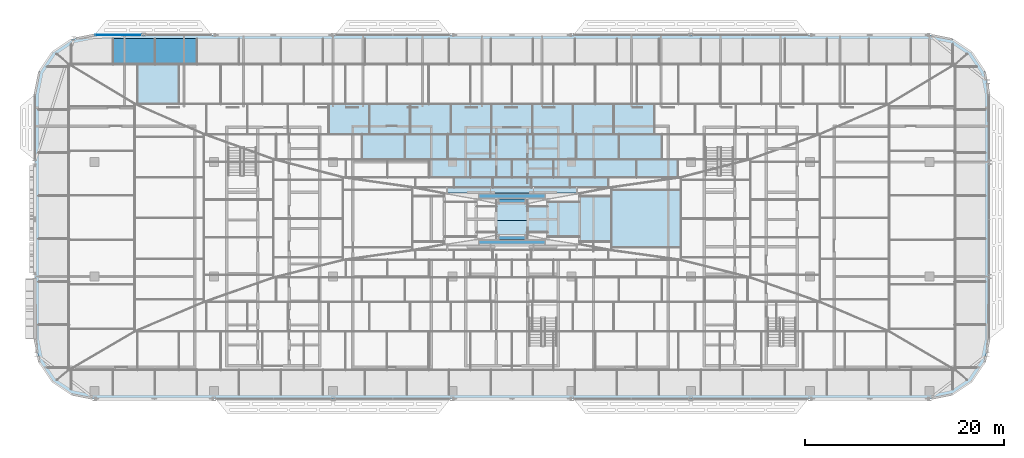
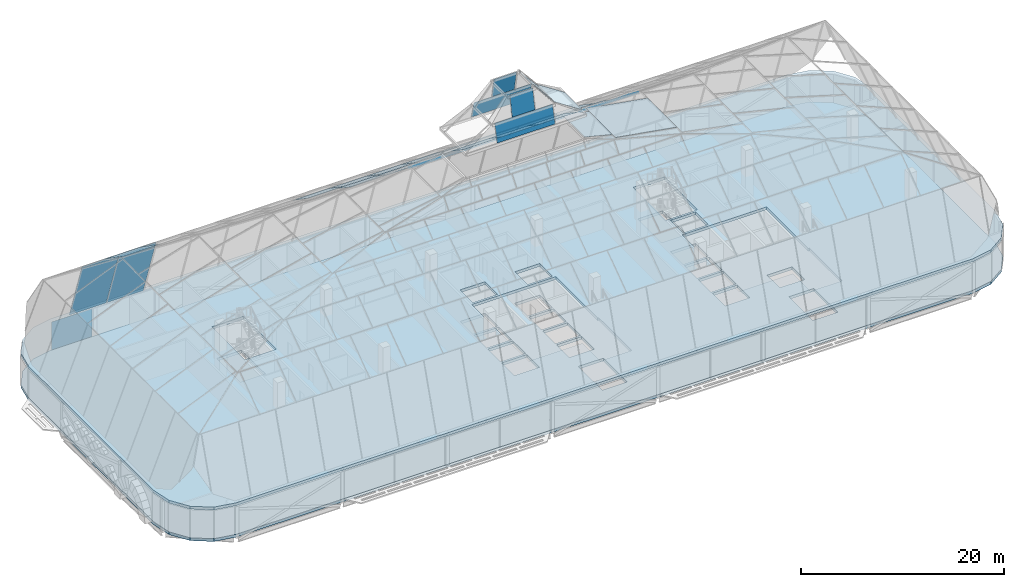
# One storey, part 21 of 39: 40 plates, 2 slabs, 16 elements without a shape of their own.
"""IFC4 building model written with IfcOpenShell, lengths in metres."""

from ifc_helpers import new_model, si_unit, direction, frame, origin, origin_2d, place, context, subcontext, project, spatial, polyline, rectangle, outline, extrude, material, layer, layer_set, type_object, element, aggregate, save


model = new_model("IFC4")

# Units and contexts
model_context = context("Model", 3, precision=1e-05, world=origin(), true_north=direction((0.0, 1.0)))
body_context = subcontext(model_context, "Body", "Model", "MODEL_VIEW")
ifc_project = project(units=[si_unit("LENGTHUNIT", "METRE"), si_unit("AREAUNIT", "SQUARE_METRE"), si_unit("VOLUMEUNIT", "CUBIC_METRE"), si_unit("PLANEANGLEUNIT", "RADIAN"), si_unit("MASSUNIT", "GRAM", prefix="KILO")], contexts=[model_context])

# Site, building, storey
site_placement = place(None, origin())
site = spatial("IfcSite", under=ifc_project, at=site_placement, CompositionType="ELEMENT")
building_placement = place(site_placement, origin())
building = spatial("IfcBuilding", under=site, at=building_placement, Name="Mahtab Terrace Research Tower", CompositionType="ELEMENT")
storey_placement = place(building_placement, frame((0.0, 0.0, 282.300048828125)))
storey = spatial("IfcBuildingStorey", under=building, at=storey_placement, Name="L69", CompositionType="ELEMENT", Elevation=282.300048828125)

# Curtain wall, plates
ifc_material_1 = material(Name="Crown faceted glass roof")
curtain_wall_type_1 = type_object("IfcCurtainWallType", Name="Crown faceted glass roof", PredefinedType="NOTDEFINED", material=ifc_material_1)
curtain_wall_1_placement = place(storey_placement, origin())
curtain_wall_1 = element("IfcCurtainWall", 1, at=curtain_wall_1_placement, inside=storey, type_object=curtain_wall_type_1, Name="CROWN.N0", PredefinedType="NOTDEFINED")
ifc_material_2 = material(Name="Dark glazing", Category="glass")
ifc_layer_1 = layer(ifc_material_2, 0.030029296875)
ifc_layer_set_1 = layer_set([ifc_layer_1], Name="Crown faceted glass roof glazing panel")
plate_type_1 = type_object("IfcPlateType", Name="Crown faceted glass roof glazing panel", PredefinedType="CURTAIN_PANEL", material=ifc_layer_set_1)
plate_1_placement = place(storey_placement, frame((-35.90087890625, 21.407958984375, 11.199951171875), z_axis=(0.0, 0.945476028817, 0.325691693067), x_axis=(0.0, 0.325691693067, -0.945476028817)))
plate_1 = element("IfcPlate", 2, at=plate_1_placement, type_object=plate_type_1, Name="CWC-N1 panel 3", PredefinedType="CURTAIN_PANEL", context=body_context, shape_type="SweptSolid", body=[
    extrude(outline(polyline([(0.0, 0.0), (7.826641943542283, 0.0), (7.826641943542283, 4.2236328125), (0.0, 4.2236328125), (0.0, 0.0)])), origin(), (0.0, 0.0, -1.0), 0.030029296875),
])
plate_2_placement = place(storey_placement, frame((-31.67724609375, 21.407958984375, 11.199951171875), z_axis=(0.0, 0.945476028817, 0.325691693067), x_axis=(0.0, 0.325691693067, -0.945476028817)))
plate_2 = element("IfcPlate", 3, at=plate_2_placement, type_object=plate_type_1, Name="CWC-N1 panel 4", PredefinedType="CURTAIN_PANEL", context=body_context, shape_type="SweptSolid", body=[
    extrude(outline(polyline([(0.0, 0.0), (7.826641943542283, 0.0), (7.826641943542283, 4.2236328125), (0.0, 4.2236328125), (0.0, 0.0)])), origin(), (0.0, 0.0, -1.0), 0.030029296875),
])
aggregate(curtain_wall_1, [plate_1, plate_2])

# Curtain wall, plate
curtain_wall_2_placement = place(storey_placement, origin())
curtain_wall_2 = element("IfcCurtainWall", 4, at=curtain_wall_2_placement, inside=storey, type_object=curtain_wall_type_1, Name="CROWN.N1", PredefinedType="NOTDEFINED")
plate_3_placement = place(storey_placement, frame((-33.49072265625, 17.38427734375, 14.0), z_axis=(0.0, 0.571197269128, 0.820812816506), x_axis=(0.0, 0.820812816506, -0.571197269128)))
plate_3 = element("IfcPlate", 5, at=plate_3_placement, type_object=plate_type_1, Name="CWC-N2 panel 2", PredefinedType="CURTAIN_PANEL", context=body_context, shape_type="SweptSolid", body=[
    extrude(outline(polyline([(0.0, 0.0), (4.902069704215443, 0.0), (4.902069704215443, 4.186279296875001), (0.0, 4.186279296875001), (0.0, 0.0)])), origin(), (0.0, 0.0, -1.0), 0.030029296875),
])
aggregate(curtain_wall_2, [plate_3])

# Curtain wall, plates
curtain_wall_3_placement = place(storey_placement, origin())
curtain_wall_3 = element("IfcCurtainWall", 6, at=curtain_wall_3_placement, inside=storey, type_object=curtain_wall_type_1, Name="CROWN.N2", PredefinedType="NOTDEFINED")
plate_4_placement = place(storey_placement, frame((-14.336181640625, 14.34375, 16.099853515625), z_axis=(0.0, 0.568271672789, 0.822840996734), x_axis=(0.0, 0.822840996734, -0.568271672789)))
plate_4 = element("IfcPlate", 7, at=plate_4_placement, type_object=plate_type_1, Name="CWC-N3 panel 5", PredefinedType="CURTAIN_PANEL", context=body_context, shape_type="SweptSolid", body=[
    extrude(outline(polyline([(0.0, 0.0), (3.695157820063184, 0.0), (3.695157820063184, 4.095947265625), (0.0, 4.095947265625), (0.0, 0.0)])), origin(), (0.0, 0.0, -1.0), 0.030029296875),
])
plate_5_placement = place(storey_placement, frame((-10.239990234375, 14.34375, 16.099853515625), z_axis=(0.0, 0.568271672789, 0.822840996734), x_axis=(0.0, 0.822840996734, -0.568271672789)))
plate_5 = element("IfcPlate", 8, at=plate_5_placement, type_object=plate_type_1, Name="CWC-N3 panel 6", PredefinedType="CURTAIN_PANEL", context=body_context, shape_type="SweptSolid", body=[
    extrude(outline(polyline([(0.0, 0.0), (3.695157820063184, 0.0), (3.695157820063184, 4.096191406250001), (0.0, 4.096191406250001), (0.0, 0.0)])), origin(), (0.0, 0.0, -1.0), 0.030029296875),
])
plate_6_placement = place(storey_placement, frame((-6.14404296875, 14.34375, 16.099853515625), z_axis=(0.0, 0.568271672789, 0.822840996734), x_axis=(0.0, 0.822840996734, -0.568271672789)))
plate_6 = element("IfcPlate", 9, at=plate_6_placement, type_object=plate_type_1, Name="CWC-N3 panel 7", PredefinedType="CURTAIN_PANEL", context=body_context, shape_type="SweptSolid", body=[
    extrude(outline(polyline([(0.0, 0.0), (3.695157820063184, 0.0), (3.695157820063184, 4.095947265625), (0.0, 4.095947265625), (0.0, 0.0)])), origin(), (0.0, 0.0, -1.0), 0.030029296875),
])
plate_7_placement = place(storey_placement, frame((-2.048095703125, 14.34375, 16.099853515625), z_axis=(0.0, 0.568271672789, 0.822840996734), x_axis=(0.0, 0.822840996734, -0.568271672789)))
plate_7 = element("IfcPlate", 10, at=plate_7_placement, type_object=plate_type_1, Name="CWC-N3 panel 8", PredefinedType="CURTAIN_PANEL", context=body_context, shape_type="SweptSolid", body=[
    extrude(outline(polyline([(0.0, 0.0), (3.695157820063184, 0.0), (3.695157820063184, 4.095947265625), (0.0, 4.095947265625), (0.0, 0.0)])), origin(), (0.0, 0.0, -1.0), 0.030029296875),
])
plate_8_placement = place(storey_placement, frame((2.048095703125, 14.34375, 16.099853515625), z_axis=(0.0, 0.568271672789, 0.822840996734), x_axis=(0.0, 0.822840996734, -0.568271672789)))
plate_8 = element("IfcPlate", 11, at=plate_8_placement, type_object=plate_type_1, Name="CWC-N3 panel 9", PredefinedType="CURTAIN_PANEL", context=body_context, shape_type="SweptSolid", body=[
    extrude(outline(polyline([(0.0, 0.0), (3.695157820063184, 0.0), (3.695157820063184, 4.096191406250001), (0.0, 4.096191406250001), (0.0, 0.0)])), origin(), (0.0, 0.0, -1.0), 0.030029296875),
])
plate_9_placement = place(storey_placement, frame((6.14404296875, 14.34375, 16.099853515625), z_axis=(0.0, 0.568271672789, 0.822840996734), x_axis=(0.0, 0.822840996734, -0.568271672789)))
plate_9 = element("IfcPlate", 12, at=plate_9_placement, type_object=plate_type_1, Name="CWC-N3 panel 10", PredefinedType="CURTAIN_PANEL", context=body_context, shape_type="SweptSolid", body=[
    extrude(outline(polyline([(0.0, 0.0), (3.695157820063184, 0.0), (3.695157820063184, 4.095947265625), (0.0, 4.095947265625), (0.0, 0.0)])), origin(), (0.0, 0.0, -1.0), 0.030029296875),
])
plate_10_placement = place(storey_placement, frame((10.239990234375, 14.34375, 16.099853515625), z_axis=(0.0, 0.568271672789, 0.822840996734), x_axis=(0.0, 0.822840996734, -0.568271672789)))
plate_10 = element("IfcPlate", 13, at=plate_10_placement, type_object=plate_type_1, Name="CWC-N3 panel 11", PredefinedType="CURTAIN_PANEL", context=body_context, shape_type="SweptSolid", body=[
    extrude(outline(polyline([(0.0, 0.0), (3.695157820063184, 0.0), (3.695157820063184, 4.095947265625), (0.0, 4.095947265625), (0.0, 0.0)])), origin(), (0.0, 0.0, -1.0), 0.030029296875),
])
plate_11_placement = place(storey_placement, frame((14.336181640625, 14.34375, 16.099853515625), z_axis=(0.0, 0.568271672789, 0.822840996734), x_axis=(0.0, 0.822840996734, -0.568271672789)))
plate_11 = element("IfcPlate", 14, at=plate_11_placement, type_object=plate_type_1, Name="CWC-N3 panel 12", PredefinedType="CURTAIN_PANEL", context=body_context, shape_type="SweptSolid", body=[
    extrude(outline(polyline([(0.0, 0.0), (3.695157820063184, 0.0), (3.695157820063184, 4.096191406250001), (0.0, 4.096191406250001), (0.0, 0.0)])), origin(), (0.0, 0.0, -1.0), 0.030029296875),
])
aggregate(curtain_wall_3, [plate_4, plate_5, plate_6, plate_7, plate_8, plate_9, plate_10, plate_11])

curtain_wall_4_placement = place(storey_placement, origin())
curtain_wall_4 = element("IfcCurtainWall", 15, at=curtain_wall_4_placement, inside=storey, type_object=curtain_wall_type_1, Name="CROWN.N3", PredefinedType="NOTDEFINED")
plate_12_placement = place(storey_placement, frame((-10.77978515625, 11.81298828125, 17.800048828125), z_axis=(0.0, 0.557653368121, 0.830073925035), x_axis=(0.0, 0.830073925035, -0.557653368121)))
plate_12 = element("IfcPlate", 16, at=plate_12_placement, type_object=plate_type_1, Name="CWC-N4 panel 4", PredefinedType="CURTAIN_PANEL", context=body_context, shape_type="SweptSolid", body=[
    extrude(outline(polyline([(0.0, 0.0), (3.048838955690744, 0.0), (3.048838955690744, 4.31201171875), (0.0, 4.31201171875), (0.0, 0.0)])), origin(), (0.0, 0.0, -1.0), 0.030029296875),
])
plate_13_placement = place(storey_placement, frame((-6.468017578125, 11.81298828125, 17.800048828125), z_axis=(0.0, 0.557653368121, 0.830073925035), x_axis=(0.0, 0.830073925035, -0.557653368121)))
plate_13 = element("IfcPlate", 17, at=plate_13_placement, type_object=plate_type_1, Name="CWC-N4 panel 5", PredefinedType="CURTAIN_PANEL", context=body_context, shape_type="SweptSolid", body=[
    extrude(outline(polyline([(0.0, 0.0), (3.048838955690744, 0.0), (3.048838955690744, 4.311767578125001), (0.0, 4.311767578125001), (0.0, 0.0)])), origin(), (0.0, 0.0, -1.0), 0.030029296875),
])
plate_14_placement = place(storey_placement, frame((-2.156005859375, 11.81298828125, 17.800048828125), z_axis=(0.0, 0.557653368121, 0.830073925035), x_axis=(0.0, 0.830073925035, -0.557653368121)))
plate_14 = element("IfcPlate", 18, at=plate_14_placement, type_object=plate_type_1, Name="CWC-N4 panel 6", PredefinedType="CURTAIN_PANEL", context=body_context, shape_type="SweptSolid", body=[
    extrude(outline(polyline([(0.0, 0.0), (3.048838955690744, 0.0), (3.048838955690744, 4.31201171875), (0.0, 4.31201171875), (0.0, 0.0)])), origin(), (0.0, 0.0, -1.0), 0.030029296875),
])
plate_15_placement = place(storey_placement, frame((2.156005859375, 11.81298828125, 17.800048828125), z_axis=(0.0, 0.557653368121, 0.830073925035), x_axis=(0.0, 0.830073925035, -0.557653368121)))
plate_15 = element("IfcPlate", 19, at=plate_15_placement, type_object=plate_type_1, Name="CWC-N4 panel 7", PredefinedType="CURTAIN_PANEL", context=body_context, shape_type="SweptSolid", body=[
    extrude(outline(polyline([(0.0, 0.0), (3.048838955690744, 0.0), (3.048838955690744, 4.31201171875), (0.0, 4.31201171875), (0.0, 0.0)])), origin(), (0.0, 0.0, -1.0), 0.030029296875),
])
plate_16_placement = place(storey_placement, frame((6.468017578125, 11.81298828125, 17.800048828125), z_axis=(0.0, 0.557653368121, 0.830073925035), x_axis=(0.0, 0.830073925035, -0.557653368121)))
plate_16 = element("IfcPlate", 20, at=plate_16_placement, type_object=plate_type_1, Name="CWC-N4 panel 8", PredefinedType="CURTAIN_PANEL", context=body_context, shape_type="SweptSolid", body=[
    extrude(outline(polyline([(0.0, 0.0), (3.048838955690744, 0.0), (3.048838955690744, 4.31201171875), (0.0, 4.31201171875), (0.0, 0.0)])), origin(), (0.0, 0.0, -1.0), 0.030029296875),
])
plate_17_placement = place(storey_placement, frame((10.77978515625, 11.81298828125, 17.800048828125), z_axis=(0.0, 0.557653368121, 0.830073925035), x_axis=(0.0, 0.830073925035, -0.557653368121)))
plate_17 = element("IfcPlate", 21, at=plate_17_placement, type_object=plate_type_1, Name="CWC-N4 panel 9", PredefinedType="CURTAIN_PANEL", context=body_context, shape_type="SweptSolid", body=[
    extrude(outline(polyline([(0.0, 0.0), (3.048838955690744, 0.0), (3.048838955690744, 4.311767578125001), (0.0, 4.311767578125001), (0.0, 0.0)])), origin(), (0.0, 0.0, -1.0), 0.030029296875),
])
plate_18_placement = place(storey_placement, frame((15.091796875, 11.81298828125, 17.800048828125), z_axis=(0.0, 0.557653368121, 0.830073925035), x_axis=(0.0, 0.830073925035, -0.557653368121)))
plate_18 = element("IfcPlate", 22, at=plate_18_placement, type_object=plate_type_1, Name="CWC-N4 panel 10", PredefinedType="CURTAIN_PANEL", context=body_context, shape_type="SweptSolid", body=[
    extrude(outline(polyline([(0.0, 0.0), (3.048838955690744, 0.0), (3.048838955690744, 4.31201171875), (0.0, 4.31201171875), (0.0, 0.0)])), origin(), (0.0, 0.0, -1.0), 0.030029296875),
])
aggregate(curtain_wall_4, [plate_12, plate_13, plate_14, plate_15, plate_16, plate_17, plate_18])

curtain_wall_5_placement = place(storey_placement, origin())
curtain_wall_5 = element("IfcCurtainWall", 23, at=curtain_wall_5_placement, inside=storey, type_object=curtain_wall_type_1, Name="CROWN.N4", PredefinedType="NOTDEFINED")
plate_19_placement = place(storey_placement, frame((-4.177734375, 9.9921875, 19.199951171875), z_axis=(0.0, 0.609515532495, 0.7927741265), x_axis=(0.0, 0.7927741265, -0.609515532495)))
plate_19 = element("IfcPlate", 24, at=plate_19_placement, type_object=plate_type_1, Name="CWC-N5 panel 4", PredefinedType="CURTAIN_PANEL", context=body_context, shape_type="SweptSolid", body=[
    extrude(outline(polyline([(0.0, 0.0), (2.2967459713771903, 0.0), (2.2967459713771903, 4.177734375), (0.0, 4.177734375), (0.0, 0.0)])), origin(), (0.0, 0.0, -1.0), 0.030029296875),
])
plate_20_placement = place(storey_placement, frame((0.0, 9.9921875, 19.199951171875), z_axis=(0.0, 0.609515532495, 0.7927741265), x_axis=(0.0, 0.7927741265, -0.609515532495)))
plate_20 = element("IfcPlate", 25, at=plate_20_placement, type_object=plate_type_1, Name="CWC-N5 panel 5", PredefinedType="CURTAIN_PANEL", context=body_context, shape_type="SweptSolid", body=[
    extrude(outline(polyline([(0.0, 0.0), (2.2967459713771903, 0.0), (2.2967459713771903, 4.177734375), (0.0, 4.177734375), (0.0, 0.0)])), origin(), (0.0, 0.0, -1.0), 0.030029296875),
])
plate_21_placement = place(storey_placement, frame((4.177734375, 9.9921875, 19.199951171875), z_axis=(0.0, 0.609515532495, 0.7927741265), x_axis=(0.0, 0.7927741265, -0.609515532495)))
plate_21 = element("IfcPlate", 26, at=plate_21_placement, type_object=plate_type_1, Name="CWC-N5 panel 6", PredefinedType="CURTAIN_PANEL", context=body_context, shape_type="SweptSolid", body=[
    extrude(outline(polyline([(0.0, 0.0), (2.2967459713771903, 0.0), (2.2967459713771903, 4.177734375), (0.0, 4.177734375), (0.0, 0.0)])), origin(), (0.0, 0.0, -1.0), 0.030029296875),
])
plate_22_placement = place(storey_placement, frame((8.35546875, 9.9921875, 19.199951171875), z_axis=(0.0, 0.609515532495, 0.7927741265), x_axis=(0.0, 0.7927741265, -0.609515532495)))
plate_22 = element("IfcPlate", 27, at=plate_22_placement, type_object=plate_type_1, Name="CWC-N5 panel 7", PredefinedType="CURTAIN_PANEL", context=body_context, shape_type="SweptSolid", body=[
    extrude(outline(polyline([(0.0, 0.0), (2.2967459713771903, 0.0), (2.2967459713771903, 4.177734375), (0.0, 4.177734375), (0.0, 0.0)])), origin(), (0.0, 0.0, -1.0), 0.030029296875),
])
plate_23_placement = place(storey_placement, frame((12.533203125, 9.9921875, 19.199951171875), z_axis=(0.0, 0.609515532495, 0.7927741265), x_axis=(0.0, 0.7927741265, -0.609515532495)))
plate_23 = element("IfcPlate", 28, at=plate_23_placement, type_object=plate_type_1, Name="CWC-N5 panel 8", PredefinedType="CURTAIN_PANEL", context=body_context, shape_type="SweptSolid", body=[
    extrude(outline(polyline([(0.0, 0.0), (2.2967459713771903, 0.0), (2.2967459713771903, 4.177734375), (0.0, 4.177734375), (0.0, 0.0)])), origin(), (0.0, 0.0, -1.0), 0.030029296875),
])
plate_24_placement = place(storey_placement, frame((16.7109375, 9.9921875, 19.199951171875), z_axis=(0.0, 0.609515532495, 0.7927741265), x_axis=(0.0, 0.7927741265, -0.609515532495)))
plate_24 = element("IfcPlate", 29, at=plate_24_placement, type_object=plate_type_1, Name="CWC-N5 panel 9", PredefinedType="CURTAIN_PANEL", context=body_context, shape_type="SweptSolid", body=[
    extrude(outline(polyline([(0.0, 0.0), (2.2967459713771903, 0.0), (2.2967459713771903, 4.177734375), (0.0, 4.177734375), (0.0, 0.0)])), origin(), (0.0, 0.0, -1.0), 0.030029296875),
])
aggregate(curtain_wall_5, [plate_19, plate_20, plate_21, plate_22, plate_23, plate_24])

# Curtain wall, plate
curtain_wall_6_placement = place(storey_placement, origin())
curtain_wall_6 = element("IfcCurtainWall", 30, at=curtain_wall_6_placement, inside=storey, type_object=curtain_wall_type_1, Name="CROWN.E5", PredefinedType="NOTDEFINED")
ifc_material_3 = material(Name="Turquoise ceramic tile cladding", Category="ceramic")
ifc_layer_2 = layer(ifc_material_3, 0.0400390625)
ifc_layer_set_2 = layer_set([ifc_layer_2], Name="Crown tip cladding panel")
plate_type_2 = type_object("IfcPlateType", Name="Crown tip cladding panel", PredefinedType="CURTAIN_PANEL", material=ifc_layer_set_2)
plate_25_placement = place(storey_placement, frame((17.010986328125, 2.898193359375, 19.199951171875), z_axis=(0.168854156391, 0.0, 0.985641047172), x_axis=(0.0, 1.0, 0.0)))
plate_25 = element("IfcPlate", 31, at=plate_25_placement, type_object=plate_type_2, Name="CWC-E6 panel 2", PredefinedType="CURTAIN_PANEL", context=body_context, shape_type="SweptSolid", body=[
    extrude(outline(polyline([(0.0, 0.0), (5.792724609375, 0.0), (5.792724609375, 7.106435503421467), (0.0, 7.106435503421467), (0.0, 0.0)])), origin(), (0.0, 0.0, -1.0), 0.030029296875),
])
aggregate(curtain_wall_6, [plate_25])

curtain_wall_7_placement = place(storey_placement, origin())
curtain_wall_7 = element("IfcCurtainWall", 32, at=curtain_wall_7_placement, inside=storey, type_object=curtain_wall_type_1, Name="CROWN.E6", PredefinedType="NOTDEFINED")
plate_26_placement = place(storey_placement, frame((10.006591796875, 3.4931640625, 20.39990234375), z_axis=(0.243076639991, 0.0, 0.970007086103), x_axis=(0.0, 1.0, 0.0)))
plate_26 = element("IfcPlate", 33, at=plate_26_placement, type_object=plate_type_2, Name="CWC-E7 panel 2", PredefinedType="CURTAIN_PANEL", context=body_context, shape_type="SweptSolid", body=[
    extrude(outline(polyline([(0.0, 0.0), (4.5859375, 0.0), (4.5859375, 3.291343948785117), (0.0, 3.291343948785117), (0.0, 0.0)])), origin(), (0.0, 0.0, -1.0), 0.030029296875),
])
aggregate(curtain_wall_7, [plate_26])

# Curtain wall, plates
curtain_wall_8_placement = place(storey_placement, origin())
curtain_wall_8 = element("IfcCurtainWall", 34, at=curtain_wall_8_placement, inside=storey, type_object=curtain_wall_type_1, Name="CROWN.N5", PredefinedType="NOTDEFINED")
plate_27_placement = place(storey_placement, frame((-1.94140625, 8.99072265625, 20.39990234375), z_axis=(0.0, 0.767747332932, 0.640752707973), x_axis=(0.0, 0.640752707973, -0.767747332932)))
plate_27 = element("IfcPlate", 35, at=plate_27_placement, type_object=plate_type_2, Name="CWC-N6 panel 3", PredefinedType="CURTAIN_PANEL", context=body_context, shape_type="SweptSolid", body=[
    extrude(outline(polyline([(0.0, 0.0), (1.5629506224290637, 0.0), (1.5629506224290637, 3.882568359375), (0.0, 3.882568359375), (0.0, 0.0)])), origin(), (0.0, 0.0, -1.0), 0.030029296875),
])
plate_28_placement = place(storey_placement, frame((1.94140625, 8.99072265625, 20.39990234375), z_axis=(0.0, 0.767747332932, 0.640752707973), x_axis=(0.0, 0.640752707973, -0.767747332932)))
plate_28 = element("IfcPlate", 36, at=plate_28_placement, type_object=plate_type_2, Name="CWC-N6 panel 4", PredefinedType="CURTAIN_PANEL", context=body_context, shape_type="SweptSolid", body=[
    extrude(outline(polyline([(0.0, 0.0), (1.5629506224290637, 0.0), (1.5629506224290637, 3.8828125), (0.0, 3.8828125), (0.0, 0.0)])), origin(), (0.0, 0.0, -1.0), 0.030029296875),
])
plate_29_placement = place(storey_placement, frame((5.823974609375, 8.99072265625, 20.39990234375), z_axis=(0.0, 0.767747332932, 0.640752707973), x_axis=(0.0, 0.640752707973, -0.767747332932)))
plate_29 = element("IfcPlate", 37, at=plate_29_placement, type_object=plate_type_2, Name="CWC-N6 panel 5", PredefinedType="CURTAIN_PANEL", context=body_context, shape_type="SweptSolid", body=[
    extrude(outline(polyline([(0.0, 0.0), (1.5629506224290637, 0.0), (1.5629506224290637, 3.882568359375), (0.0, 3.882568359375), (0.0, 0.0)])), origin(), (0.0, 0.0, -1.0), 0.030029296875),
])
plate_30_placement = place(storey_placement, frame((9.70654296875, 8.99072265625, 20.39990234375), z_axis=(0.0, 0.767747332932, 0.640752707973), x_axis=(0.0, 0.640752707973, -0.767747332932)))
plate_30 = element("IfcPlate", 38, at=plate_30_placement, type_object=plate_type_2, Name="CWC-N6 panel 6", PredefinedType="CURTAIN_PANEL", context=body_context, shape_type="SweptSolid", body=[
    extrude(outline(polyline([(0.0, 0.0), (1.5629506224290637, 0.0), (1.5629506224290637, 3.882568359375), (0.0, 3.882568359375), (0.0, 0.0)])), origin(), (0.0, 0.0, -1.0), 0.030029296875),
])
aggregate(curtain_wall_8, [plate_27, plate_28, plate_29, plate_30])

curtain_wall_9_placement = place(storey_placement, origin())
curtain_wall_9 = element("IfcCurtainWall", 39, at=curtain_wall_9_placement, inside=storey, type_object=curtain_wall_type_1, Name="CROWN.N6", PredefinedType="NOTDEFINED")
plate_31_placement = place(storey_placement, frame((-2.17138671875, 8.379150390625, 21.199951171875), z_axis=(0.0, 0.794467922581, 0.607306117201), x_axis=(0.0, 0.607306117201, -0.794467922581)))
plate_31 = element("IfcPlate", 40, at=plate_31_placement, type_object=plate_type_2, Name="CWC-N7 panel 2", PredefinedType="CURTAIN_PANEL", context=body_context, shape_type="SweptSolid", body=[
    extrude(outline(polyline([(0.0, 0.0), (1.0070247084684076, 0.0), (1.0070247084684076, 4.342529296875), (0.0, 4.342529296875), (0.0, 0.0)])), origin(), (0.0, 0.0, -1.0), 0.030029296875),
])
plate_32_placement = place(storey_placement, frame((2.17138671875, 8.379150390625, 21.199951171875), z_axis=(0.0, 0.794467922581, 0.607306117201), x_axis=(0.0, 0.607306117201, -0.794467922581)))
plate_32 = element("IfcPlate", 41, at=plate_32_placement, type_object=plate_type_2, Name="CWC-N7 panel 3", PredefinedType="CURTAIN_PANEL", context=body_context, shape_type="SweptSolid", body=[
    extrude(outline(polyline([(0.0, 0.0), (1.0070247084684076, 0.0), (1.0070247084684076, 4.342773437500001), (0.0, 4.342773437500001), (0.0, 0.0)])), origin(), (0.0, 0.0, -1.0), 0.030029296875),
])
plate_33_placement = place(storey_placement, frame((6.513916015625, 8.379150390625, 21.199951171875), z_axis=(0.0, 0.794467922581, 0.607306117201), x_axis=(0.0, 0.607306117201, -0.794467922581)))
plate_33 = element("IfcPlate", 42, at=plate_33_placement, type_object=plate_type_2, Name="CWC-N7 panel 4", PredefinedType="CURTAIN_PANEL", context=body_context, shape_type="SweptSolid", body=[
    extrude(outline(polyline([(0.0, 0.0), (1.0070247084684076, 0.0), (1.0070247084684076, 4.342529296875), (0.0, 4.342529296875), (0.0, 0.0)])), origin(), (0.0, 0.0, -1.0), 0.030029296875),
])
aggregate(curtain_wall_9, [plate_31, plate_32, plate_33])

# Curtain wall, plate
curtain_wall_10_placement = place(storey_placement, origin())
curtain_wall_10 = element("IfcCurtainWall", 43, at=curtain_wall_10_placement, inside=storey, type_object=curtain_wall_type_1, Name="CROWN.S7", PredefinedType="NOTDEFINED")
plate_34_placement = place(storey_placement, frame((3.300048828125, 3.193115234375, 24.199951171875), z_axis=(0.0, -0.972091096112, 0.234603710245), x_axis=(0.0, 0.234603710245, 0.972091096112)))
plate_34 = element("IfcPlate", 44, at=plate_34_placement, type_object=plate_type_2, Name="CWC-S8 panel 2", PredefinedType="CURTAIN_PANEL", context=body_context, shape_type="SweptSolid", body=[
    extrude(outline(polyline([(0.0, 0.0), (2.160391824028282, 0.0), (2.160391824028282, 6.60009765625), (0.0, 6.60009765625), (0.0, 0.0)])), origin(), (0.0, 0.0, -1.0), 0.030029296875),
])
aggregate(curtain_wall_10, [plate_34])

curtain_wall_11_placement = place(storey_placement, origin())
curtain_wall_11 = element("IfcCurtainWall", 45, at=curtain_wall_11_placement, inside=storey, type_object=curtain_wall_type_1, Name="CROWN.E7", PredefinedType="NOTDEFINED")
plate_35_placement = place(storey_placement, frame((6.81396484375, 4.0, 24.199951171875), z_axis=(0.547016325747, 0.0, 0.83712193817), x_axis=(0.0, 1.0, 0.0)))
plate_35 = element("IfcPlate", 46, at=plate_35_placement, type_object=plate_type_2, Name="CWC-E8 panel 2", PredefinedType="CURTAIN_PANEL", context=body_context, shape_type="SweptSolid", body=[
    extrude(outline(polyline([(0.0, 0.0), (3.5, 0.0), (3.5, 3.839186432654177), (0.0, 3.839186432654177), (0.0, 0.0)])), origin(), (0.0, 0.0, -1.0), 0.030029296875),
])
aggregate(curtain_wall_11, [plate_35])

curtain_wall_12_placement = place(storey_placement, origin())
curtain_wall_12 = element("IfcCurtainWall", 47, at=curtain_wall_12_placement, inside=storey, type_object=curtain_wall_type_1, Name="CROWN.N7", PredefinedType="NOTDEFINED")
plate_36_placement = place(storey_placement, frame((3.300048828125, 7.800048828125, 26.300048828125), z_axis=(0.0, 0.964020351668, 0.265828443869), x_axis=(0.0, 0.265828443869, -0.964020351668)))
plate_36 = element("IfcPlate", 48, at=plate_36_placement, type_object=plate_type_2, Name="CWC-N8 panel 2", PredefinedType="CURTAIN_PANEL", context=body_context, shape_type="SweptSolid", body=[
    extrude(outline(polyline([(0.0, 0.0), (2.1784785483168485, 0.0), (2.1784785483168485, 6.600097656250002), (0.0, 6.600097656250002), (0.0, 0.0)])), origin(), (0.0, 0.0, -1.0), 0.030029296875),
])
aggregate(curtain_wall_12, [plate_36])

curtain_wall_13_placement = place(storey_placement, origin())
curtain_wall_13 = element("IfcCurtainWall", 49, at=curtain_wall_13_placement, inside=storey, type_object=curtain_wall_type_1, Name="CROWN.S8", PredefinedType="NOTDEFINED")
plate_37_placement = place(storey_placement, frame((1.300048828125, 3.699951171875, 26.300048828125), z_axis=(0.0, -0.982874450722, 0.184276461107), x_axis=(0.0, 0.184276461107, 0.982874450722)))
plate_37 = element("IfcPlate", 50, at=plate_37_placement, type_object=plate_type_2, Name="CWC-S9 panel 2", PredefinedType="CURTAIN_PANEL", context=body_context, shape_type="SweptSolid", body=[
    extrude(outline(polyline([(0.0, 0.0), (2.441718107523559, 0.0), (2.441718107523559, 2.60009765625), (0.0, 2.60009765625), (0.0, 0.0)])), origin(), (0.0, 0.0, -1.0), 0.030029296875),
])
aggregate(curtain_wall_13, [plate_37])

curtain_wall_14_placement = place(storey_placement, origin())
curtain_wall_14 = element("IfcCurtainWall", 51, at=curtain_wall_14_placement, inside=storey, type_object=curtain_wall_type_1, Name="CROWN.E8", PredefinedType="NOTDEFINED")
plate_38_placement = place(storey_placement, frame((3.60009765625, 4.449951171875, 26.300048828125), z_axis=(0.768208468069, 0.0, 0.640199773186), x_axis=(0.0, 1.0, 0.0)))
plate_38 = element("IfcPlate", 52, at=plate_38_placement, type_object=plate_type_2, Name="CWC-E9 panel 2", PredefinedType="CURTAIN_PANEL", context=body_context, shape_type="SweptSolid", body=[
    extrude(outline(polyline([(0.0, 0.0), (2.60009765625, 0.0), (2.60009765625, 3.1240248493788814), (0.0, 3.1240248493788814), (0.0, 0.0)])), origin(), (0.0, 0.0, -1.0), 0.030029296875),
])
aggregate(curtain_wall_14, [plate_38])

curtain_wall_15_placement = place(storey_placement, origin())
curtain_wall_15 = element("IfcCurtainWall", 53, at=curtain_wall_15_placement, inside=storey, type_object=curtain_wall_type_1, Name="CROWN.N8", PredefinedType="NOTDEFINED")
plate_39_placement = place(storey_placement, frame((1.300048828125, 7.35009765625, 28.699951171875), z_axis=(0.0, 0.982874450722, 0.184276461107), x_axis=(0.0, 0.184276461107, -0.982874450722)))
plate_39 = element("IfcPlate", 54, at=plate_39_placement, type_object=plate_type_2, Name="CWC-N9 panel 2", PredefinedType="CURTAIN_PANEL", context=body_context, shape_type="SweptSolid", body=[
    extrude(outline(polyline([(0.0, 0.0), (2.441718107523559, 0.0), (2.441718107523559, 2.60009765625), (0.0, 2.60009765625), (0.0, 0.0)])), origin(), (0.0, 0.0, -1.0), 0.030029296875),
])
aggregate(curtain_wall_15, [plate_39])

ifc_material_4 = material(Name="Office ribbon curtain wall")
curtain_wall_type_2 = type_object("IfcCurtainWallType", Name="Office ribbon curtain wall", PredefinedType="NOTDEFINED", material=ifc_material_4)
curtain_wall_16_placement = place(storey_placement, origin())
curtain_wall_16 = element("IfcCurtainWall", 55, at=curtain_wall_16_placement, inside=storey, type_object=curtain_wall_type_2, Name="EN.L69.3.10", PredefinedType="NOTDEFINED")
ifc_layer_3 = layer(ifc_material_2, 0.030029296875)
ifc_layer_set_3 = layer_set([ifc_layer_3], Name="Office ribbon curtain wall glazing panel")
plate_type_3 = type_object("IfcPlateType", Name="Office ribbon curtain wall glazing panel", PredefinedType="CURTAIN_PANEL", material=ifc_layer_set_3)
plate_40_placement = place(storey_placement, frame((-39.623046875, 24.306884765625, 0.0), z_axis=(0.0, 0.0, 1.0), x_axis=(-1.0, 0.0, 0.0)))
plate_40 = element("IfcPlate", 56, at=plate_40_placement, type_object=plate_type_3, Name="CWO-8 panel 1", PredefinedType="CURTAIN_PANEL", context=body_context, shape_type="SweptSolid", body=[
    extrude(rectangle(XDim=4.634033203125, YDim=0.030029296875, at=origin_2d()), origin(), (0.0, 0.0, 1.0), 3.360107421875),
])
aggregate(curtain_wall_16, [plate_40])

# Slabs
ifc_material_5 = material(Name="Concrete C40/50", Category="concrete")
ifc_layer_4 = layer(ifc_material_5, 0.340087890625)
ifc_layer_set_4 = layer_set([ifc_layer_4], Name="PT flat slab 340")
slab_type_1 = type_object("IfcSlabType", Name="PT flat slab 340", PredefinedType="FLOOR", material=ifc_layer_set_4)
slab_1_placement = place(storey_placement, frame((0.0, 0.0, -0.340087890625)))
element("IfcSlab", 57, at=slab_1_placement, inside=storey, type_object=slab_type_1, Name="Floor slab L69", PredefinedType="FLOOR", context=body_context, shape_type="SweptSolid", body=[
    extrude(outline(polyline([(47.54296875, 20.60302734375), (46.242919921875, 22.550048828125), (44.2958984375, 23.85009765625), (42.0, 24.306884765625), (-42.0, 24.306884765625), (-44.2958984375, 23.85009765625), (-46.242919921875, 22.550048828125), (-47.54296875, 20.60302734375), (-48.0, 18.306884765625), (-48.0, -6.306884765625), (-47.54296875, -8.60302734375), (-46.242919921875, -10.550048828125), (-44.2958984375, -11.85009765625), (-42.0, -12.306884765625), (42.0, -12.306884765625), (44.2958984375, -11.85009765625), (46.242919921875, -10.550048828125), (47.54296875, -8.60302734375), (48.0, -6.306884765625), (48.0, 18.306884765625), (47.54296875, 20.60302734375)]), holes=[polyline([(-4.550048828125, -2.375), (-4.550048828125, 0.125), (-1.699951171875, 0.125), (-1.699951171875, -2.375), (-4.550048828125, -2.375)]), polyline([(1.699951171875, -2.375), (1.699951171875, 0.125), (4.550048828125, 0.125), (4.550048828125, -2.375), (1.699951171875, -2.375)]), polyline([(-4.550048828125, 0.375), (-4.550048828125, 2.875), (-1.699951171875, 2.875), (-1.699951171875, 0.375), (-4.550048828125, 0.375)]), polyline([(1.699951171875, 0.375), (1.699951171875, 2.875), (4.550048828125, 2.875), (4.550048828125, 0.375), (1.699951171875, 0.375)]), polyline([(-4.550048828125, 3.125), (-4.550048828125, 5.625), (-1.699951171875, 5.625), (-1.699951171875, 3.125), (-4.550048828125, 3.125)]), polyline([(1.699951171875, 3.125), (1.699951171875, 5.625), (4.550048828125, 5.625), (4.550048828125, 3.125), (1.699951171875, 3.125)]), polyline([(-4.550048828125, 5.875), (-4.550048828125, 8.375), (-1.699951171875, 8.375), (-1.699951171875, 5.875), (-4.550048828125, 5.875)]), polyline([(1.699951171875, 5.875), (1.699951171875, 8.375), (4.550048828125, 8.375), (4.550048828125, 5.875), (1.699951171875, 5.875)]), polyline([(-28.550048828125, 10.177001953125), (-28.550048828125, 14.875), (-25.699951171875, 14.875), (-25.699951171875, 10.177001953125), (-28.550048828125, 10.177001953125)]), polyline([(1.699951171875, -8.875), (1.699951171875, -4.177001953125), (4.550048828125, -4.177001953125), (4.550048828125, -8.875), (1.699951171875, -8.875)]), polyline([(25.699951171875, -8.875), (25.699951171875, -4.177001953125), (28.550048828125, -4.177001953125), (28.550048828125, -8.875), (25.699951171875, -8.875)]), polyline([(19.449951171875, -2.375), (19.449951171875, 0.125), (22.300048828125, 0.125), (22.300048828125, -2.375), (19.449951171875, -2.375)]), polyline([(25.699951171875, -2.375), (25.699951171875, 0.125), (28.550048828125, 0.125), (28.550048828125, -2.375), (25.699951171875, -2.375)]), polyline([(19.449951171875, 0.375), (19.449951171875, 2.875), (22.300048828125, 2.875), (22.300048828125, 0.375), (19.449951171875, 0.375)]), polyline([(19.449951171875, 3.125), (19.449951171875, 5.625), (22.300048828125, 5.625), (22.300048828125, 3.125), (19.449951171875, 3.125)]), polyline([(19.449951171875, 8.375), (22.300048828125, 8.375), (22.300048828125, 5.875), (19.449951171875, 5.875), (19.449951171875, 8.375)]), polyline([(19.449951171875, 14.875), (22.300048828125, 14.875), (22.300048828125, 10.177001953125), (19.449951171875, 10.177001953125), (19.449951171875, 14.875)])]), origin(), (0.0, 0.0, 1.0), 0.340087890625),
])
ifc_layer_5 = layer(ifc_material_5, 0.340087890625)
ifc_layer_set_5 = layer_set([ifc_layer_5], Name="PT roof slab 340")
slab_type_2 = type_object("IfcSlabType", Name="PT roof slab 340", PredefinedType="ROOF", material=ifc_layer_set_5)
slab_2_placement = place(storey_placement, frame((0.0, 0.0, 3.4599609375)))
element("IfcSlab", 58, at=slab_2_placement, inside=storey, type_object=slab_type_2, Name="Roof slab", PredefinedType="ROOF", context=body_context, shape_type="SweptSolid", body=[
    extrude(outline(polyline([(47.54296875, 20.60302734375), (46.242919921875, 22.550048828125), (44.2958984375, 23.85009765625), (42.0, 24.306884765625), (-42.0, 24.306884765625), (-44.2958984375, 23.85009765625), (-46.242919921875, 22.550048828125), (-47.54296875, 20.60302734375), (-48.0, 18.306884765625), (-48.0, -6.306884765625), (-47.54296875, -8.60302734375), (-46.242919921875, -10.550048828125), (-44.2958984375, -11.85009765625), (-42.0, -12.306884765625), (42.0, -12.306884765625), (44.2958984375, -11.85009765625), (46.242919921875, -10.550048828125), (47.54296875, -8.60302734375), (48.0, -6.306884765625), (48.0, 18.306884765625), (47.54296875, 20.60302734375)]), holes=[polyline([(1.330078125, -9.125), (1.330078125, -5.625), (-4.800048828125, -5.625), (-4.800048828125, 5.625), (4.800048828125, 5.625), (4.800048828125, -2.625), (4.919921875, -2.625), (4.919921875, -9.125), (1.330078125, -9.125)]), polyline([(-4.550048828125, 8.375), (-1.699951171875, 8.375), (-1.699951171875, 5.875), (-4.550048828125, 5.875), (-4.550048828125, 8.375)]), polyline([(-28.919921875, 8.625), (-28.919921875, 15.125), (-25.330078125, 15.125), (-25.330078125, 8.625), (-28.919921875, 8.625)]), polyline([(25.330078125, -9.125), (25.330078125, -5.625), (19.199951171875, -5.625), (19.199951171875, 5.625), (28.800048828125, 5.625), (28.800048828125, -2.625), (28.919921875, -2.625), (28.919921875, -9.125), (25.330078125, -9.125)]), polyline([(1.699951171875, 5.875), (1.699951171875, 8.375), (4.550048828125, 8.375), (4.550048828125, 5.875), (1.699951171875, 5.875)]), polyline([(19.449951171875, 8.375), (22.300048828125, 8.375), (22.300048828125, 5.875), (19.449951171875, 5.875), (19.449951171875, 8.375)]), polyline([(19.080078125, 15.125), (22.669921875, 15.125), (22.669921875, 8.625), (19.080078125, 8.625), (19.080078125, 15.125)])]), origin(), (0.0, 0.0, 1.0), 0.340087890625),
])

save(model, "model.ifc")
